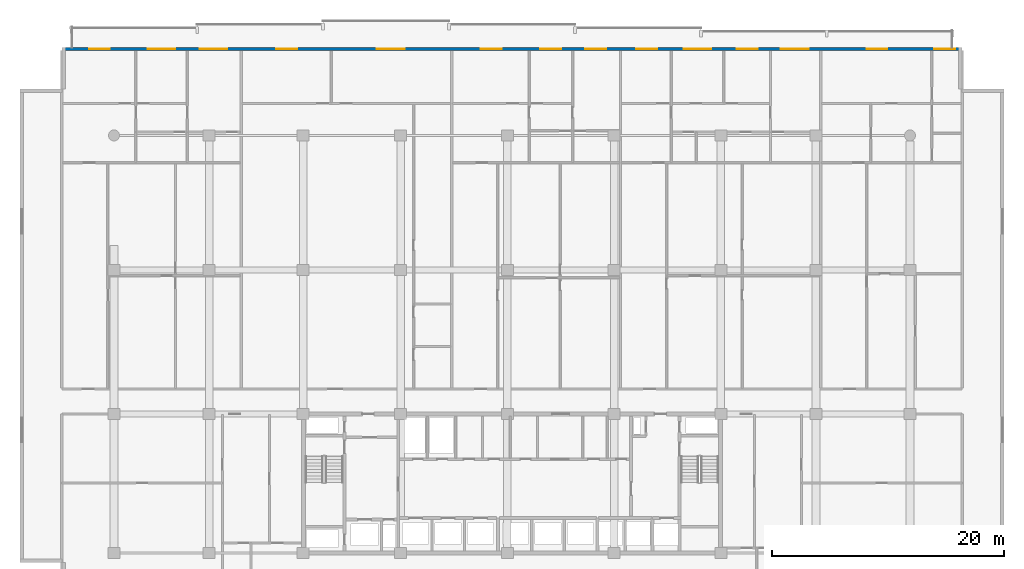
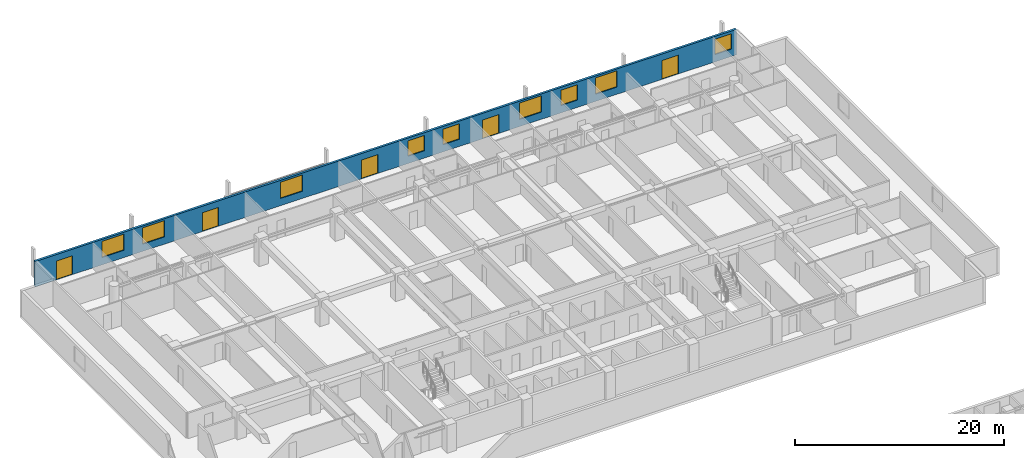
# One storey, part 16 of 23: 9 windows, 5 doors, 1 wall, 14 openings.
"""IFC4 building model written with IfcOpenShell, lengths in metres."""

from ifc_helpers import new_model, si_unit, direction, frame, frame_2d, origin, place, context, subcontext, project, spatial, rectangle, extrude, material, layer, layer_set, type_object, element, fill, save


model = new_model("IFC4")

# Units and contexts
model_context = context("Model", 3, precision=1e-05, world=origin(), true_north=direction((0.0, 1.0)))
body_context = subcontext(model_context, "Body", "Model", "MODEL_VIEW")
ifc_project = project(units=[si_unit("LENGTHUNIT", "METRE"), si_unit("AREAUNIT", "SQUARE_METRE"), si_unit("VOLUMEUNIT", "CUBIC_METRE"), si_unit("PLANEANGLEUNIT", "RADIAN"), si_unit("MASSUNIT", "GRAM", prefix="KILO")], contexts=[model_context])

# Site, building, storey
site_placement = place(None, origin())
site = spatial("IfcSite", under=ifc_project, at=site_placement, CompositionType="ELEMENT")
building_placement = place(site_placement, origin())
building = spatial("IfcBuilding", under=site, at=building_placement, Name="Korimba Cascade Residences", CompositionType="ELEMENT")
storey_placement = place(building_placement, frame((0.0, 0.0, 50.0)))
storey = spatial("IfcBuildingStorey", under=building, at=storey_placement, Name="L13", CompositionType="ELEMENT", Elevation=50.0)

# Wall, openings, doors, windows
ifc_material_1 = material(Name="Precast concrete C40/50", Category="concrete")
ifc_layer = layer(ifc_material_1, 0.25)
ifc_layer_set = layer_set([ifc_layer], Name="Precast concrete C40/50")
wall_type = type_object("IfcWallType", Name="EW-LOG-250", PredefinedType="STANDARD", material=ifc_layer_set)
wall_placement = place(storey_placement, frame((132.89990234375, 98.64990234375, 0.0), z_axis=(0.0, 0.0, 1.0), x_axis=(-1.0, 0.0, 0.0)))
wall = element("IfcWall", 1, at=wall_placement, inside=storey, type_object=wall_type, Name="L13 T1 Perimeter Stone Wall E06", PredefinedType="STANDARD", context=body_context, shape_type="SweptSolid", body=[
    extrude(rectangle(XDim=77.599853515625, YDim=0.25, at=frame_2d((38.7998046875, 0.0))), origin(), (0.0, 0.0, 1.0), 2.969970703125),
])
opening_1_placement = place(wall_placement, frame((67.800048828125, 0.0, 0.85009765625)))
opening_1 = element("IfcOpeningElement", 2, at=opening_1_placement, cuts=wall, Name="Opening W-01", PredefinedType="OPENING", context=body_context, shape_type="SweptSolid", body=[
    extrude(rectangle(XDim=2.39990234375, YDim=1.89990234375, at=frame_2d((1.199951171875, 0.949951171875))), frame((0.0, 0.135009765625, 0.0), z_axis=(0.0, -1.0, 0.0), x_axis=(1.0, 0.0, 0.0)), (0.0, 0.0, 1.0), 0.27001953125),
])
opening_2_placement = place(wall_placement, frame((73.449951171875, 0.0, 0.0)))
opening_2 = element("IfcOpeningElement", 3, at=opening_2_placement, cuts=wall, Name="Opening D-LG1", PredefinedType="OPENING", context=body_context, shape_type="SweptSolid", body=[
    extrude(rectangle(XDim=1.800048828125, YDim=2.199951171875, at=frame_2d((0.89990234375, 1.10009765625))), frame((0.0, 0.135009765625, 0.0), z_axis=(0.0, -1.0, 0.0), x_axis=(1.0, 0.0, 0.0)), (0.0, 0.0, 1.0), 0.27001953125),
])
opening_3_placement = place(wall_placement, frame((63.322509765625, 0.0, 0.85009765625)))
opening_3 = element("IfcOpeningElement", 4, at=opening_3_placement, cuts=wall, Name="Opening W-01", PredefinedType="OPENING", context=body_context, shape_type="SweptSolid", body=[
    extrude(rectangle(XDim=2.39990234375, YDim=1.89990234375, at=frame_2d((1.199951171875, 0.949951171875))), frame((0.0, 0.135009765625, 0.0), z_axis=(0.0, -1.0, 0.0), x_axis=(1.0, 0.0, 0.0)), (0.0, 0.0, 1.0), 0.27001953125),
])
opening_4_placement = place(wall_placement, frame((57.302490234375, 0.0, 0.0)))
opening_4 = element("IfcOpeningElement", 5, at=opening_4_placement, cuts=wall, Name="Opening D-LG1", PredefinedType="OPENING", context=body_context, shape_type="SweptSolid", body=[
    extrude(rectangle(XDim=1.800048828125, YDim=2.199951171875, at=frame_2d((0.89990234375, 1.10009765625))), frame((0.0, 0.135009765625, 0.0), z_axis=(0.0, -1.0, 0.0), x_axis=(1.0, 0.0, 0.0)), (0.0, 0.0, 1.0), 0.27001953125),
])
opening_5_placement = place(wall_placement, frame((48.052978515625, 0.0, 0.85009765625)))
opening_5 = element("IfcOpeningElement", 6, at=opening_5_placement, cuts=wall, Name="Opening W-01", PredefinedType="OPENING", context=body_context, shape_type="SweptSolid", body=[
    extrude(rectangle(XDim=2.39990234375, YDim=1.89990234375, at=frame_2d((1.199951171875, 0.949951171875))), frame((0.0, 0.135009765625, 0.0), z_axis=(0.0, -1.0, 0.0), x_axis=(1.0, 0.0, 0.0)), (0.0, 0.0, 1.0), 0.27001953125),
])
opening_6_placement = place(wall_placement, frame((34.54638671875, 0.0, 0.85009765625)))
opening_6 = element("IfcOpeningElement", 7, at=opening_6_placement, cuts=wall, Name="Opening W-02", PredefinedType="OPENING", context=body_context, shape_type="SweptSolid", body=[
    extrude(rectangle(XDim=1.800048828125, YDim=1.800048828125, at=frame_2d((0.89990234375, 0.89990234375))), frame((0.0, 0.135009765625, 0.0), z_axis=(0.0, -1.0, 0.0), x_axis=(1.0, 0.0, 0.0)), (0.0, 0.0, 1.0), 0.27001953125),
])
opening_7_placement = place(wall_placement, frame((39.702880859375, 0.0, 0.0)))
opening_7 = element("IfcOpeningElement", 8, at=opening_7_placement, cuts=wall, Name="Opening D-LG1", PredefinedType="OPENING", context=body_context, shape_type="SweptSolid", body=[
    extrude(rectangle(XDim=1.800048828125, YDim=2.199951171875, at=frame_2d((0.89990234375, 1.10009765625))), frame((0.0, 0.135009765625, 0.0), z_axis=(0.0, -1.0, 0.0), x_axis=(1.0, 0.0, 0.0)), (0.0, 0.0, 1.0), 0.27001953125),
])
opening_8_placement = place(wall_placement, frame((30.667724609375, 0.0, 0.85009765625)))
opening_8 = element("IfcOpeningElement", 9, at=opening_8_placement, cuts=wall, Name="Opening W-02", PredefinedType="OPENING", context=body_context, shape_type="SweptSolid", body=[
    extrude(rectangle(XDim=1.800048828125, YDim=1.800048828125, at=frame_2d((0.89990234375, 0.89990234375))), frame((0.0, 0.135009765625, 0.0), z_axis=(0.0, -1.0, 0.0), x_axis=(1.0, 0.0, 0.0)), (0.0, 0.0, 1.0), 0.27001953125),
])
opening_9_placement = place(wall_placement, frame((21.610595703125, 0.0, 0.85009765625)))
opening_9 = element("IfcOpeningElement", 10, at=opening_9_placement, cuts=wall, Name="Opening W-01", PredefinedType="OPENING", context=body_context, shape_type="SweptSolid", body=[
    extrude(rectangle(XDim=2.39990234375, YDim=1.89990234375, at=frame_2d((1.199951171875, 0.949951171875))), frame((0.0, 0.135009765625, 0.0), z_axis=(0.0, -1.0, 0.0), x_axis=(1.0, 0.0, 0.0)), (0.0, 0.0, 1.0), 0.27001953125),
])
opening_10_placement = place(wall_placement, frame((17.63720703125, 0.0, 0.85009765625)))
opening_10 = element("IfcOpeningElement", 11, at=opening_10_placement, cuts=wall, Name="Opening W-02", PredefinedType="OPENING", context=body_context, shape_type="SweptSolid", body=[
    extrude(rectangle(XDim=1.800048828125, YDim=1.800048828125, at=frame_2d((0.89990234375, 0.89990234375))), frame((0.0, 0.135009765625, 0.0), z_axis=(0.0, -1.0, 0.0), x_axis=(1.0, 0.0, 0.0)), (0.0, 0.0, 1.0), 0.27001953125),
])
opening_11_placement = place(wall_placement, frame((26.297607421875, 0.0, 0.0)))
opening_11 = element("IfcOpeningElement", 12, at=opening_11_placement, cuts=wall, Name="Opening D-LG1", PredefinedType="OPENING", context=body_context, shape_type="SweptSolid", body=[
    extrude(rectangle(XDim=1.800048828125, YDim=2.199951171875, at=frame_2d((0.89990234375, 1.10009765625))), frame((0.0, 0.135009765625, 0.0), z_axis=(0.0, -1.0, 0.0), x_axis=(1.0, 0.0, 0.0)), (0.0, 0.0, 1.0), 0.27001953125),
])
opening_12_placement = place(wall_placement, frame((13.220458984375, 0.0, 0.85009765625)))
opening_12 = element("IfcOpeningElement", 13, at=opening_12_placement, cuts=wall, Name="Opening W-01", PredefinedType="OPENING", context=body_context, shape_type="SweptSolid", body=[
    extrude(rectangle(XDim=2.39990234375, YDim=1.89990234375, at=frame_2d((1.199951171875, 0.949951171875))), frame((0.0, 0.135009765625, 0.0), z_axis=(0.0, -1.0, 0.0), x_axis=(1.0, 0.0, 0.0)), (0.0, 0.0, 1.0), 0.27001953125),
])
opening_13_placement = place(wall_placement, frame((6.44775390625, 0.0, 0.0)))
opening_13 = element("IfcOpeningElement", 14, at=opening_13_placement, cuts=wall, Name="Opening D-LG1", PredefinedType="OPENING", context=body_context, shape_type="SweptSolid", body=[
    extrude(rectangle(XDim=1.800048828125, YDim=2.199951171875, at=frame_2d((0.89990234375, 1.10009765625))), frame((0.0, 0.135009765625, 0.0), z_axis=(0.0, -1.0, 0.0), x_axis=(1.0, 0.0, 0.0)), (0.0, 0.0, 1.0), 0.27001953125),
])
opening_14_placement = place(wall_placement, frame((0.60009765625, 0.0, 0.85009765625)))
opening_14 = element("IfcOpeningElement", 15, at=opening_14_placement, cuts=wall, Name="Opening W-02", PredefinedType="OPENING", context=body_context, shape_type="SweptSolid", body=[
    extrude(rectangle(XDim=1.800048828125, YDim=1.800048828125, at=frame_2d((0.89990234375, 0.89990234375))), frame((0.0, 0.135009765625, 0.0), z_axis=(0.0, -1.0, 0.0), x_axis=(1.0, 0.0, 0.0)), (0.0, 0.0, 1.0), 0.27001953125),
])
ifc_material_2 = material(Name="Glazed Aluminium Loggia Sliding Door", Category="aluminium")
door_type = type_object("IfcDoorType", Name="DR-EXT-LOG", OperationType="NOTDEFINED", PredefinedType="DOOR", material=ifc_material_2)
door_1_placement = place(opening_2_placement, origin())
door_1 = element("IfcDoor", 16, at=door_1_placement, inside=storey, type_object=door_type, Name="L13 T1 Loggia Sliding Door 4", OperationType="SLIDING_TO_LEFT", OverallHeight=2.199951171875, OverallWidth=1.800048828125, PredefinedType="DOOR", context=body_context, shape_type="SweptSolid", body=[
    extrude(rectangle(XDim=1.800048828125, YDim=2.199951171875, at=frame_2d((0.89990234375, 1.10009765625))), frame((0.0, 0.02490234375, 0.0), z_axis=(0.0, -1.0, 0.0), x_axis=(1.0, 0.0, 0.0)), (0.0, 0.0, 1.0), 0.050048828125),
])
fill(opening_2, door_1)
door_2_placement = place(opening_4_placement, origin())
door_2 = element("IfcDoor", 17, at=door_2_placement, inside=storey, type_object=door_type, Name="L13 T1 Loggia Sliding Door 6", OperationType="SLIDING_TO_LEFT", OverallHeight=2.199951171875, OverallWidth=1.800048828125, PredefinedType="DOOR", context=body_context, shape_type="SweptSolid", body=[
    extrude(rectangle(XDim=1.800048828125, YDim=2.199951171875, at=frame_2d((0.89990234375, 1.10009765625))), frame((0.0, 0.02490234375, 0.0), z_axis=(0.0, -1.0, 0.0), x_axis=(1.0, 0.0, 0.0)), (0.0, 0.0, 1.0), 0.050048828125),
])
fill(opening_4, door_2)
door_3_placement = place(opening_7_placement, origin())
door_3 = element("IfcDoor", 18, at=door_3_placement, inside=storey, type_object=door_type, Name="L13 T1 Loggia Sliding Door 9", OperationType="SLIDING_TO_LEFT", OverallHeight=2.199951171875, OverallWidth=1.800048828125, PredefinedType="DOOR", context=body_context, shape_type="SweptSolid", body=[
    extrude(rectangle(XDim=1.800048828125, YDim=2.199951171875, at=frame_2d((0.89990234375, 1.10009765625))), frame((0.0, 0.02490234375, 0.0), z_axis=(0.0, -1.0, 0.0), x_axis=(1.0, 0.0, 0.0)), (0.0, 0.0, 1.0), 0.050048828125),
])
fill(opening_7, door_3)
door_4_placement = place(opening_11_placement, origin())
door_4 = element("IfcDoor", 19, at=door_4_placement, inside=storey, type_object=door_type, Name="L13 T1 Loggia Sliding Door 13", OperationType="SLIDING_TO_LEFT", OverallHeight=2.199951171875, OverallWidth=1.800048828125, PredefinedType="DOOR", context=body_context, shape_type="SweptSolid", body=[
    extrude(rectangle(XDim=1.800048828125, YDim=2.199951171875, at=frame_2d((0.89990234375, 1.10009765625))), frame((0.0, 0.02490234375, 0.0), z_axis=(0.0, -1.0, 0.0), x_axis=(1.0, 0.0, 0.0)), (0.0, 0.0, 1.0), 0.050048828125),
])
fill(opening_11, door_4)
door_5_placement = place(opening_13_placement, origin())
door_5 = element("IfcDoor", 20, at=door_5_placement, inside=storey, type_object=door_type, Name="L13 T1 Loggia Sliding Door 15", OperationType="SLIDING_TO_LEFT", OverallHeight=2.199951171875, OverallWidth=1.800048828125, PredefinedType="DOOR", context=body_context, shape_type="SweptSolid", body=[
    extrude(rectangle(XDim=1.800048828125, YDim=2.199951171875, at=frame_2d((0.89990234375, 1.10009765625))), frame((0.0, 0.02490234375, 0.0), z_axis=(0.0, -1.0, 0.0), x_axis=(1.0, 0.0, 0.0)), (0.0, 0.0, 1.0), 0.050048828125),
])
fill(opening_13, door_5)
ifc_material_3 = material(Name="Double-Glazed Aluminium Window", Category="aluminium")
window_type_1 = type_object("IfcWindowType", Name="WIN-BED-1800", PartitioningType="SINGLE_PANEL", PredefinedType="WINDOW", material=ifc_material_3)
window_1_placement = place(opening_6_placement, origin())
window_1 = element("IfcWindow", 21, at=window_1_placement, inside=storey, type_object=window_type_1, Name="L13 T1 North Facade Window 8", OverallHeight=1.800048828125, OverallWidth=1.800048828125, PartitioningType="SINGLE_PANEL", PredefinedType="WINDOW", context=body_context, shape_type="SweptSolid", body=[
    extrude(rectangle(XDim=1.800048828125, YDim=1.800048828125, at=frame_2d((0.89990234375, 0.89990234375))), frame((0.0, 0.030029296875, 0.0), z_axis=(0.0, -1.0, 0.0), x_axis=(1.0, 0.0, 0.0)), (0.0, 0.0, 1.0), 0.06005859375),
])
fill(opening_6, window_1)
window_2_placement = place(opening_8_placement, origin())
window_2 = element("IfcWindow", 22, at=window_2_placement, inside=storey, type_object=window_type_1, Name="L13 T1 North Facade Window 10", OverallHeight=1.800048828125, OverallWidth=1.800048828125, PartitioningType="SINGLE_PANEL", PredefinedType="WINDOW", context=body_context, shape_type="SweptSolid", body=[
    extrude(rectangle(XDim=1.800048828125, YDim=1.800048828125, at=frame_2d((0.89990234375, 0.89990234375))), frame((0.0, 0.030029296875, 0.0), z_axis=(0.0, -1.0, 0.0), x_axis=(1.0, 0.0, 0.0)), (0.0, 0.0, 1.0), 0.06005859375),
])
fill(opening_8, window_2)
window_3_placement = place(opening_10_placement, origin())
window_3 = element("IfcWindow", 23, at=window_3_placement, inside=storey, type_object=window_type_1, Name="L13 T1 North Facade Window 12", OverallHeight=1.800048828125, OverallWidth=1.800048828125, PartitioningType="SINGLE_PANEL", PredefinedType="WINDOW", context=body_context, shape_type="SweptSolid", body=[
    extrude(rectangle(XDim=1.800048828125, YDim=1.800048828125, at=frame_2d((0.89990234375, 0.89990234375))), frame((0.0, 0.030029296875, 0.0), z_axis=(0.0, -1.0, 0.0), x_axis=(1.0, 0.0, 0.0)), (0.0, 0.0, 1.0), 0.06005859375),
])
fill(opening_10, window_3)
window_4_placement = place(opening_14_placement, origin())
window_4 = element("IfcWindow", 24, at=window_4_placement, inside=storey, type_object=window_type_1, Name="L13 T1 North Facade Window 16", OverallHeight=1.800048828125, OverallWidth=1.800048828125, PartitioningType="SINGLE_PANEL", PredefinedType="WINDOW", context=body_context, shape_type="SweptSolid", body=[
    extrude(rectangle(XDim=1.800048828125, YDim=1.800048828125, at=frame_2d((0.89990234375, 0.89990234375))), frame((0.0, 0.030029296875, 0.0), z_axis=(0.0, -1.0, 0.0), x_axis=(1.0, 0.0, 0.0)), (0.0, 0.0, 1.0), 0.06005859375),
])
fill(opening_14, window_4)
window_type_2 = type_object("IfcWindowType", Name="WIN-RES-2400", PartitioningType="DOUBLE_PANEL_VERTICAL", PredefinedType="WINDOW", material=ifc_material_3)
window_5_placement = place(opening_1_placement, origin())
window_5 = element("IfcWindow", 25, at=window_5_placement, inside=storey, type_object=window_type_2, Name="L13 T1 North Facade Window 3", OverallHeight=1.89990234375, OverallWidth=2.39990234375, PartitioningType="DOUBLE_PANEL_VERTICAL", PredefinedType="WINDOW", context=body_context, shape_type="SweptSolid", body=[
    extrude(rectangle(XDim=2.39990234375, YDim=1.89990234375, at=frame_2d((1.199951171875, 0.949951171875))), frame((0.0, 0.030029296875, 0.0), z_axis=(0.0, -1.0, 0.0), x_axis=(1.0, 0.0, 0.0)), (0.0, 0.0, 1.0), 0.06005859375),
])
fill(opening_1, window_5)
window_6_placement = place(opening_3_placement, origin())
window_6 = element("IfcWindow", 26, at=window_6_placement, inside=storey, type_object=window_type_2, Name="L13 T1 North Facade Window 5", OverallHeight=1.89990234375, OverallWidth=2.39990234375, PartitioningType="DOUBLE_PANEL_VERTICAL", PredefinedType="WINDOW", context=body_context, shape_type="SweptSolid", body=[
    extrude(rectangle(XDim=2.39990234375, YDim=1.89990234375, at=frame_2d((1.199951171875, 0.949951171875))), frame((0.0, 0.030029296875, 0.0), z_axis=(0.0, -1.0, 0.0), x_axis=(1.0, 0.0, 0.0)), (0.0, 0.0, 1.0), 0.06005859375),
])
fill(opening_3, window_6)
window_7_placement = place(opening_5_placement, origin())
window_7 = element("IfcWindow", 27, at=window_7_placement, inside=storey, type_object=window_type_2, Name="L13 T1 North Facade Window 7", OverallHeight=1.89990234375, OverallWidth=2.39990234375, PartitioningType="DOUBLE_PANEL_VERTICAL", PredefinedType="WINDOW", context=body_context, shape_type="SweptSolid", body=[
    extrude(rectangle(XDim=2.39990234375, YDim=1.89990234375, at=frame_2d((1.199951171875, 0.949951171875))), frame((0.0, 0.030029296875, 0.0), z_axis=(0.0, -1.0, 0.0), x_axis=(1.0, 0.0, 0.0)), (0.0, 0.0, 1.0), 0.06005859375),
])
fill(opening_5, window_7)
window_8_placement = place(opening_9_placement, origin())
window_8 = element("IfcWindow", 28, at=window_8_placement, inside=storey, type_object=window_type_2, Name="L13 T1 North Facade Window 11", OverallHeight=1.89990234375, OverallWidth=2.39990234375, PartitioningType="DOUBLE_PANEL_VERTICAL", PredefinedType="WINDOW", context=body_context, shape_type="SweptSolid", body=[
    extrude(rectangle(XDim=2.39990234375, YDim=1.89990234375, at=frame_2d((1.199951171875, 0.949951171875))), frame((0.0, 0.030029296875, 0.0), z_axis=(0.0, -1.0, 0.0), x_axis=(1.0, 0.0, 0.0)), (0.0, 0.0, 1.0), 0.06005859375),
])
fill(opening_9, window_8)
window_9_placement = place(opening_12_placement, origin())
window_9 = element("IfcWindow", 29, at=window_9_placement, inside=storey, type_object=window_type_2, Name="L13 T1 North Facade Window 14", OverallHeight=1.89990234375, OverallWidth=2.39990234375, PartitioningType="DOUBLE_PANEL_VERTICAL", PredefinedType="WINDOW", context=body_context, shape_type="SweptSolid", body=[
    extrude(rectangle(XDim=2.39990234375, YDim=1.89990234375, at=frame_2d((1.199951171875, 0.949951171875))), frame((0.0, 0.030029296875, 0.0), z_axis=(0.0, -1.0, 0.0), x_axis=(1.0, 0.0, 0.0)), (0.0, 0.0, 1.0), 0.06005859375),
])
fill(opening_12, window_9)

save(model, "model.ifc")
